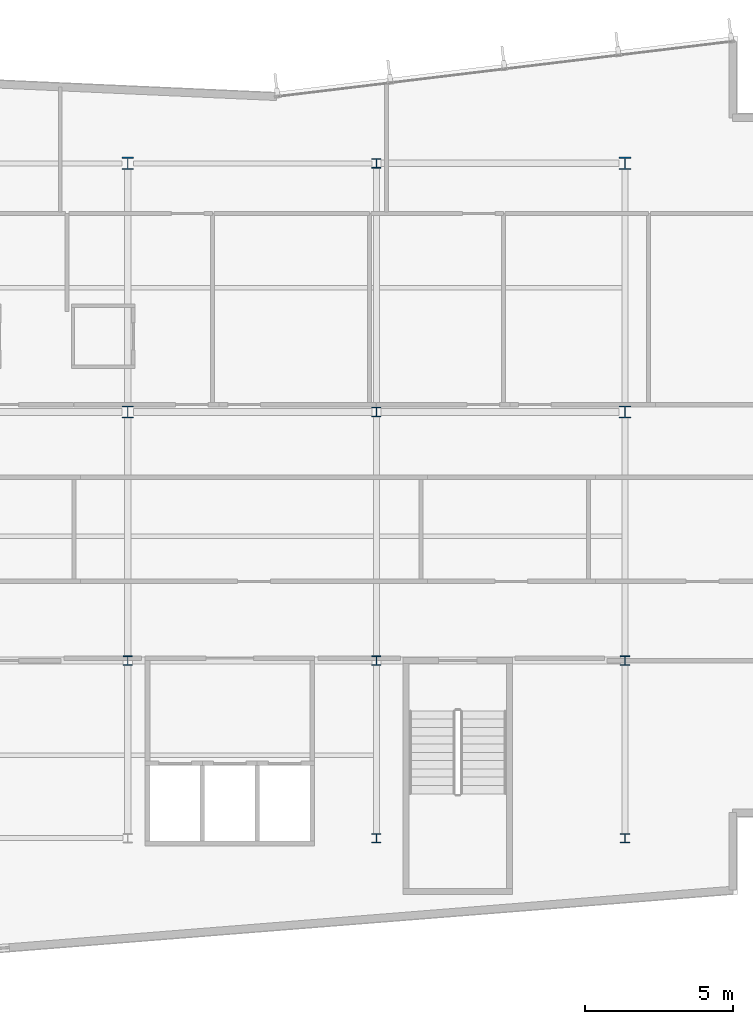
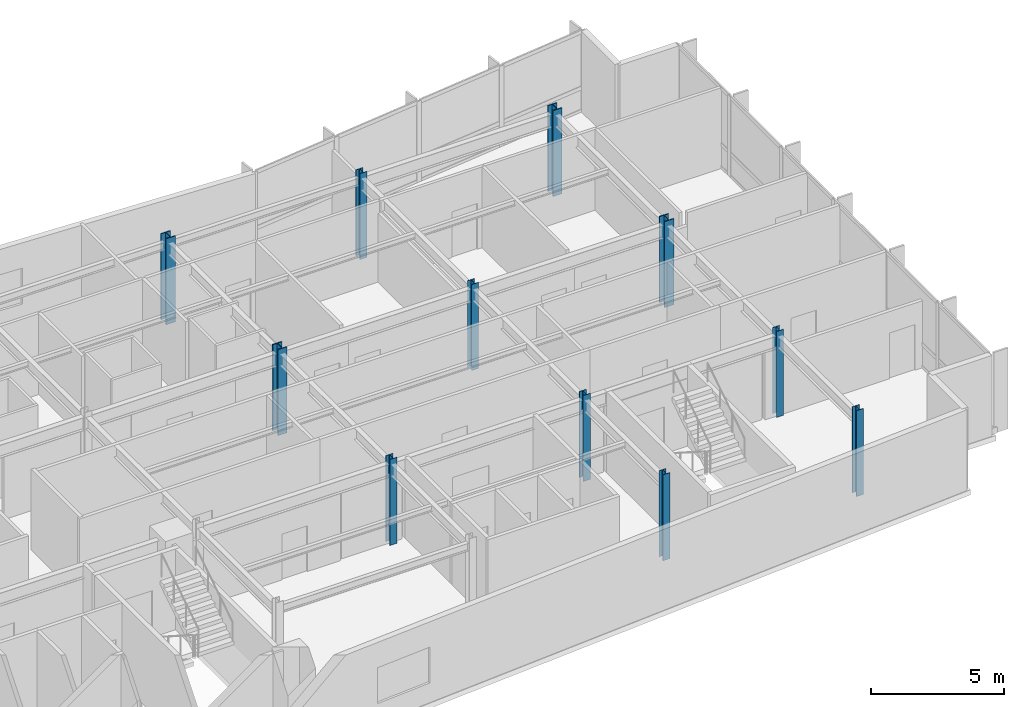
# One storey, part 2 of 18: 11 columns.
"""IFC4 building model written with IfcOpenShell, lengths in metres."""

from ifc_helpers import new_model, si_unit, direction, frame, origin, origin_2d, place, context, subcontext, project, spatial, i_section, extrude, material, material_profile, profile_set, type_object, element, save


model = new_model("IFC4")

# Units and contexts
model_context = context("Model", 3, precision=1e-05, world=origin(), true_north=direction((0.0, 1.0)))
body_context = subcontext(model_context, "Body", "Model", "MODEL_VIEW")
ifc_project = project(units=[si_unit("LENGTHUNIT", "METRE"), si_unit("AREAUNIT", "SQUARE_METRE"), si_unit("VOLUMEUNIT", "CUBIC_METRE"), si_unit("PLANEANGLEUNIT", "RADIAN"), si_unit("MASSUNIT", "GRAM", prefix="KILO")], contexts=[model_context])

# Site, building, storey
site_placement = place(None, origin())
site = spatial("IfcSite", under=ifc_project, at=site_placement, CompositionType="ELEMENT")
building_placement = place(site_placement, origin())
building = spatial("IfcBuilding", under=site, at=building_placement, Name="Varnakote Quay Hospital", CompositionType="ELEMENT")
storey_placement = place(building_placement, frame((0.0, 0.0, 158.64990234375)))
storey = spatial("IfcBuildingStorey", under=building, at=storey_placement, Name="L39", CompositionType="ELEMENT", Elevation=158.64990234375)

# Columns
ifc_material_1 = material(Name="Structural steel AS/NZS 3679.1 Grade 350 L0 (fy 340 MPa)", Category="steel")
ifc_material_profile_1 = material_profile(ifc_material_1, i_section(OverallWidth=0.306884765625, OverallDepth=0.31494140625, WebThickness=0.011962890625, FlangeThickness=0.018798828125, FilletRadius=0.0166015625, at=origin_2d()), Name="310UC118")
ifc_profile_set_1 = profile_set([ifc_material_profile_1], Name="Structural steel AS/NZS 3679.1 Grade 350 L0 (fy 340 MPa)")
column_type_1 = type_object("IfcColumnType", Name="COL-STL-310UC118", PredefinedType="COLUMN", material=ifc_profile_set_1)
for number, where, z_axis, x_axis, name in (
    (1, (42.0, 6.0, 0.0), (0.0, 0.0, 1.0), (1.0, 0.0, 0.0), "L39 Structural Column C-42-6"),
    (2, (50.39990234375, 6.0, 0.0), (0.0, 0.0, 1.0), (1.0, 0.0, 0.0), "L39 Structural Column C-50-6"),
    (3, (33.60009765625, 12.0, 0.0), (0.0, 0.0, 1.0), (1.0, 0.0, 0.0), "L39 Structural Column C-34-12"),
    (4, (42.0, 12.0, 0.0), (0.0, 0.0, 1.0), (1.0, 0.0, 0.0), "L39 Structural Column C-42-12"),
    (5, (50.39990234375, 12.0, 0.0), (0.0, 0.0, 1.0), (1.0, 0.0, 0.0), "L39 Structural Column C-50-12"),
    (6, (42.0, 20.39990234375, 0.0), (0.0, 0.0, 1.0), (1.0, 0.0, 0.0), "L39 Structural Column C-42-20"),
    (7, (42.0, 28.800048828125, 0.0), (0.0, 0.0, 1.0), (1.0, 0.0, 0.0), "L39 Structural Column C-42-29"),
):
    element("IfcColumn", number, at=place(storey_placement, frame(where, z_axis=z_axis, x_axis=x_axis)), inside=storey, type_object=column_type_1, Name=name, PredefinedType="COLUMN", context=body_context, shape_type="SweptSolid", body=[
        extrude(i_section(OverallWidth=0.306884765625, OverallDepth=0.31494140625, WebThickness=0.011962890625, FlangeThickness=0.018798828125, FilletRadius=0.0166015625, at=origin_2d()), origin(), (0.0, 0.0, 1.0), 3.9501953125),
    ])
ifc_material_2 = material(Name="Structural steel AS/NZS 3678 Grade 350 (fy 340 MPa)", Category="steel")
ifc_material_profile_2 = material_profile(ifc_material_2, i_section(OverallWidth=0.39990234375, OverallDepth=0.419921875, WebThickness=0.02490234375, FlangeThickness=0.0400390625, at=origin_2d()), Name="400WC328")
ifc_profile_set_2 = profile_set([ifc_material_profile_2], Name="Structural steel AS/NZS 3678 Grade 350 (fy 340 MPa)")
column_type_2 = type_object("IfcColumnType", Name="COL-STL-400WC328", PredefinedType="COLUMN", material=ifc_profile_set_2)
for number, where, z_axis, x_axis, name in (
    (8, (33.60009765625, 20.39990234375, 0.0), (0.0, 0.0, 1.0), (1.0, 0.0, 0.0), "L39 Structural Column C-34-20"),
    (9, (50.39990234375, 20.39990234375, 0.0), (0.0, 0.0, 1.0), (1.0, 0.0, 0.0), "L39 Structural Column C-50-20"),
    (10, (33.60009765625, 28.800048828125, 0.0), (0.0, 0.0, 1.0), (1.0, 0.0, 0.0), "L39 Structural Column C-34-29"),
    (11, (50.39990234375, 28.800048828125, 0.0), (0.0, 0.0, 1.0), (1.0, 0.0, 0.0), "L39 Structural Column C-50-29"),
):
    element("IfcColumn", number, at=place(storey_placement, frame(where, z_axis=z_axis, x_axis=x_axis)), inside=storey, type_object=column_type_2, Name=name, PredefinedType="COLUMN", context=body_context, shape_type="SweptSolid", body=[
        extrude(i_section(OverallWidth=0.39990234375, OverallDepth=0.419921875, WebThickness=0.02490234375, FlangeThickness=0.0400390625, at=origin_2d()), origin(), (0.0, 0.0, 1.0), 3.9501953125),
    ])

save(model, "model.ifc")
